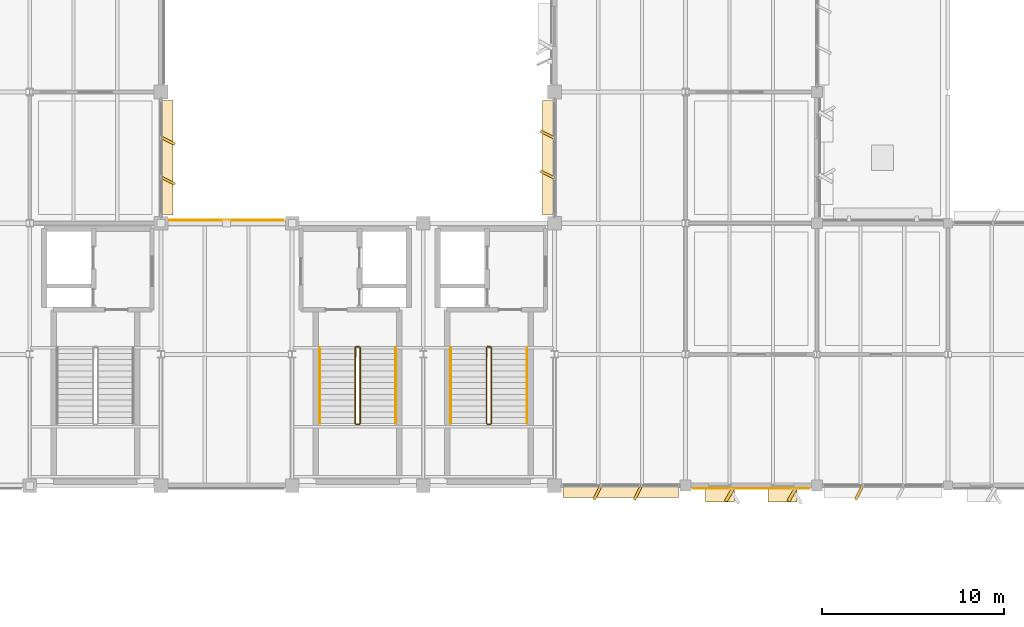
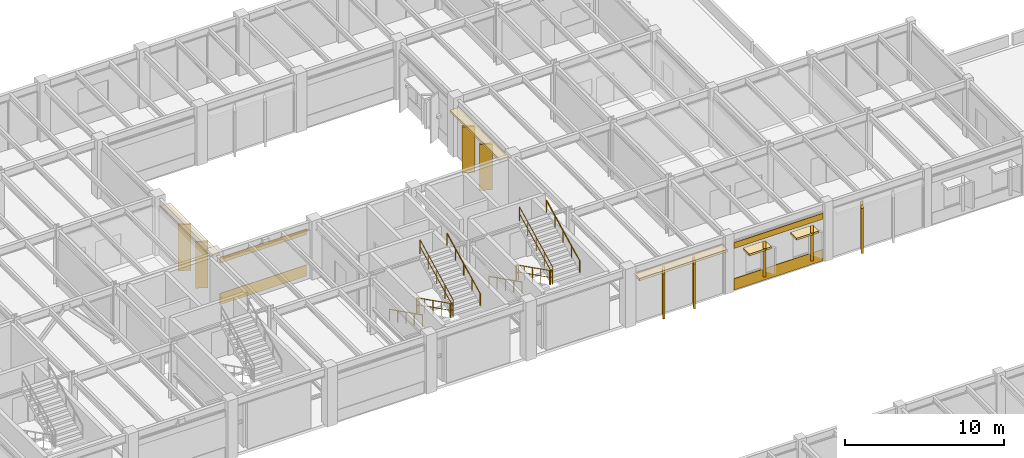
# One storey, part 89 of 92: 18 coverings, 12 railings.
"""IFC4 building model written with IfcOpenShell, lengths in metres."""

from ifc_helpers import new_model, si_unit, direction, frame, frame_2d, origin, origin_2d, place, context, subcontext, project, spatial, rectangle, circle, extrude, material, layer, layer_set, type_object, element, save


model = new_model("IFC4")

# Units and contexts
model_context = context("Model", 3, precision=1e-05, world=origin(), true_north=direction((0.0, 1.0)))
body_context = subcontext(model_context, "Body", "Model", "MODEL_VIEW")
ifc_project = project(units=[si_unit("LENGTHUNIT", "METRE"), si_unit("AREAUNIT", "SQUARE_METRE"), si_unit("VOLUMEUNIT", "CUBIC_METRE"), si_unit("PLANEANGLEUNIT", "RADIAN"), si_unit("MASSUNIT", "GRAM", prefix="KILO")], contexts=[model_context])

# Site, building, storey
site_placement = place(None, origin())
site = spatial("IfcSite", under=ifc_project, at=site_placement, CompositionType="ELEMENT")
building_placement = place(site_placement, origin())
building = spatial("IfcBuilding", under=site, at=building_placement, Name="Sillqori Civic Hall", CompositionType="ELEMENT")
storey_placement = place(building_placement, frame((0.0, 0.0, 5.39990234375)))
storey = spatial("IfcBuildingStorey", under=building, at=storey_placement, Name="L02", CompositionType="ELEMENT", Elevation=5.39990234375)

# Coverings
ifc_material_1 = material(Name="Cochabamba Honed Limestone Cladding", Category="masonry")
ifc_layer_1 = layer(ifc_material_1, 0.044921875)
ifc_layer_set_1 = layer_set([ifc_layer_1], Name="Cochabamba Honed Limestone Cladding")
covering_type = type_object("IfcCoveringType", Name="COV-CLAD-LIME", PredefinedType="CLADDING", material=ifc_layer_set_1)
covering_1_placement = place(storey_placement, frame((72.320068359375, 100.344970703125, 3.587158203125), z_axis=(0.0, 0.0, 1.0), x_axis=(0.0, -1.0, 0.0)))
element("IfcCovering", 1, at=covering_1_placement, inside=storey, type_object=covering_type, Name="L02 curtain-wall limestone solar hood L02-09-13-E", PredefinedType="CLADDING", context=body_context, shape_type="SweptSolid", body=[
    extrude(rectangle(XDim=6.2900390625, YDim=0.679931640625, at=frame_2d((3.14501953125, 0.0))), origin(), (0.0, 0.0, 1.0), 0.179931640625),
])
for number, where, z_axis, x_axis, name in (
    (2, (72.050048828125, 98.29638671875, 0.06005859375), (0.0, 0.0, 1.0), (0.894487846579, -0.44709226377, 0.0), "L02 curtain-wall angled stone fin L02-09-13-E.1"),
    (3, (72.050048828125, 96.103515625, 0.06005859375), (0.0, 0.0, 1.0), (0.894366527193, -0.447334902547, 0.0), "L02 curtain-wall angled stone fin L02-09-13-E.2"),
):
    element("IfcCovering", number, at=place(storey_placement, frame(where, z_axis=z_axis, x_axis=x_axis)), inside=storey, type_object=covering_type, Name=name, PredefinedType="CLADDING", context=body_context, shape_type="SweptSolid", body=[
        extrude(rectangle(XDim=0.804931640625, YDim=0.139892578125, at=frame_2d((0.40234375, 0.0))), origin(), (0.0, 0.0, 1.0), 3.527099609375),
    ])
covering_2_placement = place(storey_placement, frame((72.455078125, 93.760009765625, 0.0400390625), z_axis=(0.0, 0.0, 1.0), x_axis=(1.0, 0.0, 0.0)))
element("IfcCovering", 4, at=covering_2_placement, inside=storey, type_object=covering_type, Name="L02 limestone spandrel cladding L02-10-12-N", PredefinedType="CLADDING", context=body_context, shape_type="SweptSolid", body=[
    extrude(rectangle(XDim=6.2900390625, YDim=0.044921875, at=frame_2d((3.14501953125, 0.0))), origin(), (0.0, 0.0, 1.0), 0.860107421875),
])
covering_3_placement = place(storey_placement, frame((72.455078125, 93.760009765625, 3.22021484375), z_axis=(0.0, 0.0, 1.0), x_axis=(1.0, 0.0, 0.0)))
element("IfcCovering", 5, at=covering_3_placement, inside=storey, type_object=covering_type, Name="L02 limestone frieze cladding L02-10-12-N", PredefinedType="CLADDING", context=body_context, shape_type="SweptSolid", body=[
    extrude(rectangle(XDim=6.2900390625, YDim=0.044921875, at=frame_2d((3.14501953125, 0.0))), origin(), (0.0, 0.0, 1.0), 0.43798828125),
])
covering_4_placement = place(storey_placement, frame((100.419921875, 78.8798828125, 3.51806640625), z_axis=(0.0, 0.0, 1.0), x_axis=(-1.0, 0.0, 0.0)))
element("IfcCovering", 6, at=covering_4_placement, inside=storey, type_object=covering_type, Name="L02 curtain-wall limestone solar hood L02-13-11-S", PredefinedType="CLADDING", context=body_context, shape_type="SweptSolid", body=[
    extrude(rectangle(XDim=6.364990234375, YDim=0.679931640625, at=frame_2d((3.1826171875, 0.0))), origin(), (0.0, 0.0, 1.0), 0.179931640625),
])
for number, where, z_axis, x_axis, name in (
    (7, (98.3466796875, 79.14990234375, 0.06005859375), (0.0, 0.0, 1.0), (-0.44709226377, -0.894487846579, 0.0), "L02 curtain-wall angled stone fin L02-13-11-S.1"),
    (8, (96.128173828125, 79.14990234375, 0.06005859375), (0.0, 0.0, 1.0), (-0.44709226377, -0.894487846579, 0.0), "L02 curtain-wall angled stone fin L02-13-11-S.2"),
):
    element("IfcCovering", number, at=place(storey_placement, frame(where, z_axis=z_axis, x_axis=x_axis)), inside=storey, type_object=covering_type, Name=name, PredefinedType="CLADDING", context=body_context, shape_type="SweptSolid", body=[
        extrude(rectangle(XDim=0.804931640625, YDim=0.139892578125, at=frame_2d((0.40234375, 0.0))), origin(), (0.0, 0.0, 1.0), 3.4580078125),
    ])
covering_5_placement = place(storey_placement, frame((93.280029296875, 94.054931640625, 3.587158203125), z_axis=(0.0, 0.0, 1.0), x_axis=(0.0, 1.0, 0.0)))
element("IfcCovering", 9, at=covering_5_placement, inside=storey, type_object=covering_type, Name="L02 curtain-wall limestone solar hood L02-13-13-W", PredefinedType="CLADDING", context=body_context, shape_type="SweptSolid", body=[
    extrude(rectangle(XDim=6.2900390625, YDim=0.679931640625, at=frame_2d((3.14501953125, 0.0))), origin(), (0.0, 0.0, 1.0), 0.179931640625),
])
for number, where, z_axis, x_axis, name in (
    (10, (93.550048828125, 96.103515625, 0.06005859375), (0.0, 0.0, 1.0), (-0.894487846579, 0.44709226377, 0.0), "L02 curtain-wall angled stone fin L02-13-13-W.1"),
    (11, (93.550048828125, 98.29638671875, 0.06005859375), (0.0, 0.0, 1.0), (-0.894366527193, 0.447334902547, 0.0), "L02 curtain-wall angled stone fin L02-13-13-W.2"),
):
    element("IfcCovering", number, at=place(storey_placement, frame(where, z_axis=z_axis, x_axis=x_axis)), inside=storey, type_object=covering_type, Name=name, PredefinedType="CLADDING", context=body_context, shape_type="SweptSolid", body=[
        extrude(rectangle(XDim=0.804931640625, YDim=0.139892578125, at=frame_2d((0.40234375, 0.0))), origin(), (0.0, 0.0, 1.0), 3.527099609375),
    ])
covering_6_placement = place(storey_placement, frame((107.6201171875, 79.0400390625, 0.0400390625), z_axis=(0.0, 0.0, 1.0), x_axis=(-1.0, 0.0, 0.0)))
element("IfcCovering", 12, at=covering_6_placement, inside=storey, type_object=covering_type, Name="L02 limestone spandrel cladding L02-14-11-S", PredefinedType="CLADDING", context=body_context, shape_type="SweptSolid", body=[
    extrude(rectangle(XDim=6.440185546875, YDim=0.044921875, at=frame_2d((3.22021484375, 0.0))), origin(), (0.0, 0.0, 1.0), 0.860107421875),
])
covering_7_placement = place(storey_placement, frame((107.6201171875, 79.0400390625, 3.22021484375), z_axis=(0.0, 0.0, 1.0), x_axis=(-1.0, 0.0, 0.0)))
element("IfcCovering", 13, at=covering_7_placement, inside=storey, type_object=covering_type, Name="L02 limestone frieze cladding L02-14-11-S", PredefinedType="CLADDING", context=body_context, shape_type="SweptSolid", body=[
    extrude(rectangle(XDim=6.440185546875, YDim=0.044921875, at=frame_2d((3.22021484375, 0.0))), origin(), (0.0, 0.0, 1.0), 0.43798828125),
])
covering_8_placement = place(storey_placement, frame((106.861083984375, 79.080078125, 0.830078125), z_axis=(0.0, 0.0, 1.0), x_axis=(-0.500062241894, -0.865989465428, 0.0)))
element("IfcCovering", 14, at=covering_8_placement, inside=storey, type_object=covering_type, Name="Sawtooth limestone angled reveal cheek L02-14-11-S.1", PredefinedType="CLADDING", context=body_context, shape_type="SweptSolid", body=[
    extrude(rectangle(XDim=0.85009765625, YDim=0.179931640625, at=frame_2d((0.425048828125, 0.0))), origin(), (0.0, 0.0, 1.0), 2.14990234375),
])
covering_9_placement = place(storey_placement, frame((106.9208984375, 78.699951171875, 2.840087890625), z_axis=(0.0, 0.0, 1.0), x_axis=(-1.0, 0.0, 0.0)))
element("IfcCovering", 15, at=covering_9_placement, inside=storey, type_object=covering_type, Name="Sawtooth limestone window hood L02-14-11-S.1", PredefinedType="CLADDING", context=body_context, shape_type="SweptSolid", body=[
    extrude(rectangle(XDim=1.60986328125, YDim=0.780029296875, at=frame_2d((0.804931640625, 0.0))), origin(), (0.0, 0.0, 1.0), 0.139892578125),
])
covering_10_placement = place(storey_placement, frame((103.428955078125, 79.080078125, 0.830078125), z_axis=(0.0, 0.0, 1.0), x_axis=(-0.500062241894, -0.865989465428, 0.0)))
element("IfcCovering", 16, at=covering_10_placement, inside=storey, type_object=covering_type, Name="Sawtooth limestone angled reveal cheek L02-14-11-S.2", PredefinedType="CLADDING", context=body_context, shape_type="SweptSolid", body=[
    extrude(rectangle(XDim=0.85009765625, YDim=0.179931640625, at=frame_2d((0.425048828125, 0.0))), origin(), (0.0, 0.0, 1.0), 2.14990234375),
])
covering_11_placement = place(storey_placement, frame((103.489013671875, 78.699951171875, 2.840087890625), z_axis=(0.0, 0.0, 1.0), x_axis=(-1.0, 0.0, 0.0)))
element("IfcCovering", 17, at=covering_11_placement, inside=storey, type_object=covering_type, Name="Sawtooth limestone window hood L02-14-11-S.2", PredefinedType="CLADDING", context=body_context, shape_type="SweptSolid", body=[
    extrude(rectangle(XDim=1.610107421875, YDim=0.780029296875, at=frame_2d((0.80517578125, 0.0))), origin(), (0.0, 0.0, 1.0), 0.139892578125),
])
covering_12_placement = place(storey_placement, frame((110.494384765625, 79.14990234375, 0.06005859375), z_axis=(0.0, 0.0, 1.0), x_axis=(-0.44709226377, -0.894487846579, 0.0)))
element("IfcCovering", 18, at=covering_12_placement, inside=storey, type_object=covering_type, Name="L02 curtain-wall angled stone fin L02-15-11-S.2", PredefinedType="CLADDING", context=body_context, shape_type="SweptSolid", body=[
    extrude(rectangle(XDim=0.804931640625, YDim=0.139892578125, at=frame_2d((0.40234375, 0.0))), origin(), (0.0, 0.0, 1.0), 3.4580078125),
])

# Railings
ifc_material_2 = material(Name="Brushed Stainless Steel 316 Handrail", Category="steel")
ifc_layer_2 = layer(ifc_material_2, 0.044921875)
ifc_layer_set_2 = layer_set([ifc_layer_2], Name="Brushed Stainless Steel 316 Handrail")
railing_type_1 = type_object("IfcRailingType", Name="RLG-CORE-092", PredefinedType="HANDRAIL", material=ifc_layer_set_2)
railing_1_placement = place(storey_placement, frame((80.7099609375, 86.77001953125, 0.160888671875)))
element("IfcRailing", 19, at=railing_1_placement, inside=storey, type_object=railing_type_1, Name="L02 ST-07 stair handrail 1", PredefinedType="HANDRAIL", context=body_context, shape_type="SweptSolid", body=[
    extrude(circle(Radius=0.02392578125, at=origin_2d()), frame((0.0, 0.0, 0.8759765625), z_axis=(0.0, -0.893639106791, 0.448786304173), x_axis=(1.0, 0.0, 0.0)), (0.0, 0.0, 1.0), 4.655029296875),
    extrude(circle(Radius=0.02099609375, at=origin_2d()), origin(), (0.0, 0.0, 1.0), 0.851806640625),
    extrude(circle(Radius=0.02099609375, at=origin_2d()), frame((0.0, -1.0400390625, 0.522216796875)), (0.0, 0.0, 1.0), 0.851806640625),
    extrude(circle(Radius=0.02099609375, at=origin_2d()), frame((0.0, -2.080078125, 1.04443359375)), (0.0, 0.0, 1.0), 0.851806640625),
    extrude(circle(Radius=0.02099609375, at=origin_2d()), frame((0.0, -3.119873046875, 1.56689453125)), (0.0, 0.0, 1.0), 0.851806640625),
    extrude(circle(Radius=0.02099609375, at=origin_2d()), frame((0.0, -4.159912109375, 2.089111328125)), (0.0, 0.0, 1.0), 0.851806640625),
])
railing_2_placement = place(storey_placement, frame((84.889892578125, 82.610107421875, 2.410888671875)))
element("IfcRailing", 20, at=railing_2_placement, inside=storey, type_object=railing_type_1, Name="L02 ST-07 stair handrail 2", PredefinedType="HANDRAIL", context=body_context, shape_type="SweptSolid", body=[
    extrude(circle(Radius=0.02392578125, at=origin_2d()), frame((0.0, 0.0, 0.8759765625), z_axis=(0.0, 0.893639106791, 0.448786304173), x_axis=(-1.0, 0.0, 0.0)), (0.0, 0.0, 1.0), 4.655029296875),
    extrude(circle(Radius=0.02099609375, at=origin_2d()), origin(), (0.0, 0.0, 1.0), 0.851806640625),
    extrude(circle(Radius=0.02099609375, at=origin_2d()), frame((0.0, 1.0400390625, 0.522216796875)), (0.0, 0.0, 1.0), 0.851806640625),
    extrude(circle(Radius=0.02099609375, at=origin_2d()), frame((0.0, 2.080078125, 1.04443359375)), (0.0, 0.0, 1.0), 0.851806640625),
    extrude(circle(Radius=0.02099609375, at=origin_2d()), frame((0.0, 3.119873046875, 1.56689453125)), (0.0, 0.0, 1.0), 0.851806640625),
    extrude(circle(Radius=0.02099609375, at=origin_2d()), frame((0.0, 4.159912109375, 2.089111328125)), (0.0, 0.0, 1.0), 0.851806640625),
])
railing_3_placement = place(storey_placement, frame((87.909912109375, 86.77001953125, 0.160888671875)))
element("IfcRailing", 21, at=railing_3_placement, inside=storey, type_object=railing_type_1, Name="L02 ST-08 stair handrail 1", PredefinedType="HANDRAIL", context=body_context, shape_type="SweptSolid", body=[
    extrude(circle(Radius=0.02392578125, at=origin_2d()), frame((0.0, 0.0, 0.8759765625), z_axis=(0.0, -0.893639106791, 0.448786304173), x_axis=(1.0, 0.0, 0.0)), (0.0, 0.0, 1.0), 4.655029296875),
    extrude(circle(Radius=0.02099609375, at=origin_2d()), origin(), (0.0, 0.0, 1.0), 0.851806640625),
    extrude(circle(Radius=0.02099609375, at=origin_2d()), frame((0.0, -1.0400390625, 0.522216796875)), (0.0, 0.0, 1.0), 0.851806640625),
    extrude(circle(Radius=0.02099609375, at=origin_2d()), frame((0.0, -2.080078125, 1.04443359375)), (0.0, 0.0, 1.0), 0.851806640625),
    extrude(circle(Radius=0.02099609375, at=origin_2d()), frame((0.0, -3.119873046875, 1.56689453125)), (0.0, 0.0, 1.0), 0.851806640625),
    extrude(circle(Radius=0.02099609375, at=origin_2d()), frame((0.0, -4.159912109375, 2.089111328125)), (0.0, 0.0, 1.0), 0.851806640625),
])
railing_4_placement = place(storey_placement, frame((92.090087890625, 82.610107421875, 2.410888671875)))
element("IfcRailing", 22, at=railing_4_placement, inside=storey, type_object=railing_type_1, Name="L02 ST-08 stair handrail 2", PredefinedType="HANDRAIL", context=body_context, shape_type="SweptSolid", body=[
    extrude(circle(Radius=0.02392578125, at=origin_2d()), frame((0.0, 0.0, 0.8759765625), z_axis=(0.0, 0.893639106791, 0.448786304173), x_axis=(-1.0, 0.0, 0.0)), (0.0, 0.0, 1.0), 4.655029296875),
    extrude(circle(Radius=0.02099609375, at=origin_2d()), origin(), (0.0, 0.0, 1.0), 0.851806640625),
    extrude(circle(Radius=0.02099609375, at=origin_2d()), frame((0.0, 1.0400390625, 0.522216796875)), (0.0, 0.0, 1.0), 0.851806640625),
    extrude(circle(Radius=0.02099609375, at=origin_2d()), frame((0.0, 2.080078125, 1.04443359375)), (0.0, 0.0, 1.0), 0.851806640625),
    extrude(circle(Radius=0.02099609375, at=origin_2d()), frame((0.0, 3.119873046875, 1.56689453125)), (0.0, 0.0, 1.0), 0.851806640625),
    extrude(circle(Radius=0.02099609375, at=origin_2d()), frame((0.0, 4.159912109375, 2.089111328125)), (0.0, 0.0, 1.0), 0.851806640625),
])
ifc_material_3 = material(Name="Galvanized Painted Steel Guardrail", Category="steel")
ifc_layer_3 = layer(ifc_material_3, 0.050048828125)
ifc_layer_set_3 = layer_set([ifc_layer_3], Name="Galvanized Painted Steel Guardrail")
railing_type_2 = type_object("IfcRailingType", Name="RLG-CORE-110", PredefinedType="GUARDRAIL", material=ifc_layer_set_3)
railing_5_placement = place(storey_placement, frame((82.669921875, 86.77001953125, 0.160888671875)))
element("IfcRailing", 23, at=railing_5_placement, inside=storey, type_object=railing_type_2, Name="L02 ST-07 stair guard 1", PredefinedType="GUARDRAIL", context=body_context, shape_type="SweptSolid", body=[
    extrude(circle(Radius=0.02392578125, at=origin_2d()), frame((0.0, 0.0, 1.076171875), z_axis=(0.0, -0.893639106791, 0.448786304173), x_axis=(1.0, 0.0, 0.0)), (0.0, 0.0, 1.0), 4.655029296875),
    extrude(circle(Radius=0.02392578125, at=origin_2d()), frame((0.0, 0.0, 0.550048828125), z_axis=(0.0, -0.893639106791, 0.448786304173), x_axis=(1.0, 0.0, 0.0)), (0.0, 0.0, 1.0), 4.655029296875),
    extrude(circle(Radius=0.02099609375, at=origin_2d()), origin(), (0.0, 0.0, 1.0), 1.052001953125),
    extrude(circle(Radius=0.02099609375, at=origin_2d()), frame((0.0, -1.0400390625, 0.522216796875)), (0.0, 0.0, 1.0), 1.052001953125),
    extrude(circle(Radius=0.02099609375, at=origin_2d()), frame((0.0, -2.080078125, 1.04443359375)), (0.0, 0.0, 1.0), 1.052001953125),
    extrude(circle(Radius=0.02099609375, at=origin_2d()), frame((0.0, -3.119873046875, 1.56689453125)), (0.0, 0.0, 1.0), 1.052001953125),
    extrude(circle(Radius=0.02099609375, at=origin_2d()), frame((0.0, -4.159912109375, 2.089111328125)), (0.0, 0.0, 1.0), 1.052001953125),
])
railing_6_placement = place(storey_placement, frame((82.719970703125, 82.56005859375, 2.25)))
element("IfcRailing", 24, at=railing_6_placement, inside=storey, type_object=railing_type_2, Name="L02 ST-07 stair guard 2", PredefinedType="GUARDRAIL", context=body_context, shape_type="SweptSolid", body=[
    extrude(circle(Radius=0.02392578125, at=origin_2d()), frame((0.0, 0.0, 1.076171875), z_axis=(1.0, 0.0, 0.0), x_axis=(0.0, 1.0, 0.0)), (0.0, 0.0, 1.0), 0.159912109375),
    extrude(circle(Radius=0.02392578125, at=origin_2d()), frame((0.0, 0.0, 0.550048828125), z_axis=(1.0, 0.0, 0.0), x_axis=(0.0, 1.0, 0.0)), (0.0, 0.0, 1.0), 0.159912109375),
    extrude(circle(Radius=0.02099609375, at=origin_2d()), origin(), (0.0, 0.0, 1.0), 1.052001953125),
    extrude(circle(Radius=0.02099609375, at=origin_2d()), frame((0.159912109375, 0.0, 0.0)), (0.0, 0.0, 1.0), 1.052001953125),
])
railing_7_placement = place(storey_placement, frame((82.929931640625, 82.610107421875, 2.410888671875)))
element("IfcRailing", 25, at=railing_7_placement, inside=storey, type_object=railing_type_2, Name="L02 ST-07 stair guard 3", PredefinedType="GUARDRAIL", context=body_context, shape_type="SweptSolid", body=[
    extrude(circle(Radius=0.02392578125, at=origin_2d()), frame((0.0, 0.0, 1.076171875), z_axis=(0.0, 0.893639106791, 0.448786304173), x_axis=(-1.0, 0.0, 0.0)), (0.0, 0.0, 1.0), 4.655029296875),
    extrude(circle(Radius=0.02392578125, at=origin_2d()), frame((0.0, 0.0, 0.550048828125), z_axis=(0.0, 0.893639106791, 0.448786304173), x_axis=(-1.0, 0.0, 0.0)), (0.0, 0.0, 1.0), 4.655029296875),
    extrude(circle(Radius=0.02099609375, at=origin_2d()), origin(), (0.0, 0.0, 1.0), 1.052001953125),
    extrude(circle(Radius=0.02099609375, at=origin_2d()), frame((0.0, 1.0400390625, 0.522216796875)), (0.0, 0.0, 1.0), 1.052001953125),
    extrude(circle(Radius=0.02099609375, at=origin_2d()), frame((0.0, 2.080078125, 1.04443359375)), (0.0, 0.0, 1.0), 1.052001953125),
    extrude(circle(Radius=0.02099609375, at=origin_2d()), frame((0.0, 3.119873046875, 1.56689453125)), (0.0, 0.0, 1.0), 1.052001953125),
    extrude(circle(Radius=0.02099609375, at=origin_2d()), frame((0.0, 4.159912109375, 2.089111328125)), (0.0, 0.0, 1.0), 1.052001953125),
])
railing_8_placement = place(storey_placement, frame((82.719970703125, 86.820068359375, 0.0)))
element("IfcRailing", 26, at=railing_8_placement, inside=storey, type_object=railing_type_2, Name="L02 ST-07 stair guard 4", PredefinedType="GUARDRAIL", context=body_context, shape_type="SweptSolid", body=[
    extrude(circle(Radius=0.02392578125, at=origin_2d()), frame((0.0, 0.0, 1.076171875), z_axis=(1.0, 0.0, 0.0), x_axis=(0.0, 1.0, 0.0)), (0.0, 0.0, 1.0), 0.159912109375),
    extrude(circle(Radius=0.02392578125, at=origin_2d()), frame((0.0, 0.0, 0.550048828125), z_axis=(1.0, 0.0, 0.0), x_axis=(0.0, 1.0, 0.0)), (0.0, 0.0, 1.0), 0.159912109375),
    extrude(circle(Radius=0.02099609375, at=origin_2d()), origin(), (0.0, 0.0, 1.0), 1.052001953125),
    extrude(circle(Radius=0.02099609375, at=origin_2d()), frame((0.159912109375, 0.0, 0.0)), (0.0, 0.0, 1.0), 1.052001953125),
])
railing_9_placement = place(storey_placement, frame((89.8701171875, 86.77001953125, 0.160888671875)))
element("IfcRailing", 27, at=railing_9_placement, inside=storey, type_object=railing_type_2, Name="L02 ST-08 stair guard 1", PredefinedType="GUARDRAIL", context=body_context, shape_type="SweptSolid", body=[
    extrude(circle(Radius=0.02392578125, at=origin_2d()), frame((0.0, 0.0, 1.076171875), z_axis=(0.0, -0.893639106791, 0.448786304173), x_axis=(1.0, 0.0, 0.0)), (0.0, 0.0, 1.0), 4.655029296875),
    extrude(circle(Radius=0.02392578125, at=origin_2d()), frame((0.0, 0.0, 0.550048828125), z_axis=(0.0, -0.893639106791, 0.448786304173), x_axis=(1.0, 0.0, 0.0)), (0.0, 0.0, 1.0), 4.655029296875),
    extrude(circle(Radius=0.02099609375, at=origin_2d()), origin(), (0.0, 0.0, 1.0), 1.052001953125),
    extrude(circle(Radius=0.02099609375, at=origin_2d()), frame((0.0, -1.0400390625, 0.522216796875)), (0.0, 0.0, 1.0), 1.052001953125),
    extrude(circle(Radius=0.02099609375, at=origin_2d()), frame((0.0, -2.080078125, 1.04443359375)), (0.0, 0.0, 1.0), 1.052001953125),
    extrude(circle(Radius=0.02099609375, at=origin_2d()), frame((0.0, -3.119873046875, 1.56689453125)), (0.0, 0.0, 1.0), 1.052001953125),
    extrude(circle(Radius=0.02099609375, at=origin_2d()), frame((0.0, -4.159912109375, 2.089111328125)), (0.0, 0.0, 1.0), 1.052001953125),
])
railing_10_placement = place(storey_placement, frame((89.919921875, 82.56005859375, 2.25)))
element("IfcRailing", 28, at=railing_10_placement, inside=storey, type_object=railing_type_2, Name="L02 ST-08 stair guard 2", PredefinedType="GUARDRAIL", context=body_context, shape_type="SweptSolid", body=[
    extrude(circle(Radius=0.02392578125, at=origin_2d()), frame((0.0, 0.0, 1.076171875), z_axis=(1.0, 0.0, 0.0), x_axis=(0.0, 1.0, 0.0)), (0.0, 0.0, 1.0), 0.16015625),
    extrude(circle(Radius=0.02392578125, at=origin_2d()), frame((0.0, 0.0, 0.550048828125), z_axis=(1.0, 0.0, 0.0), x_axis=(0.0, 1.0, 0.0)), (0.0, 0.0, 1.0), 0.16015625),
    extrude(circle(Radius=0.02099609375, at=origin_2d()), origin(), (0.0, 0.0, 1.0), 1.052001953125),
    extrude(circle(Radius=0.02099609375, at=origin_2d()), frame((0.16015625, 0.0, 0.0)), (0.0, 0.0, 1.0), 1.052001953125),
])
railing_11_placement = place(storey_placement, frame((90.1298828125, 82.610107421875, 2.410888671875)))
element("IfcRailing", 29, at=railing_11_placement, inside=storey, type_object=railing_type_2, Name="L02 ST-08 stair guard 3", PredefinedType="GUARDRAIL", context=body_context, shape_type="SweptSolid", body=[
    extrude(circle(Radius=0.02392578125, at=origin_2d()), frame((0.0, 0.0, 1.076171875), z_axis=(0.0, 0.893639106791, 0.448786304173), x_axis=(-1.0, 0.0, 0.0)), (0.0, 0.0, 1.0), 4.655029296875),
    extrude(circle(Radius=0.02392578125, at=origin_2d()), frame((0.0, 0.0, 0.550048828125), z_axis=(0.0, 0.893639106791, 0.448786304173), x_axis=(-1.0, 0.0, 0.0)), (0.0, 0.0, 1.0), 4.655029296875),
    extrude(circle(Radius=0.02099609375, at=origin_2d()), origin(), (0.0, 0.0, 1.0), 1.052001953125),
    extrude(circle(Radius=0.02099609375, at=origin_2d()), frame((0.0, 1.0400390625, 0.522216796875)), (0.0, 0.0, 1.0), 1.052001953125),
    extrude(circle(Radius=0.02099609375, at=origin_2d()), frame((0.0, 2.080078125, 1.04443359375)), (0.0, 0.0, 1.0), 1.052001953125),
    extrude(circle(Radius=0.02099609375, at=origin_2d()), frame((0.0, 3.119873046875, 1.56689453125)), (0.0, 0.0, 1.0), 1.052001953125),
    extrude(circle(Radius=0.02099609375, at=origin_2d()), frame((0.0, 4.159912109375, 2.089111328125)), (0.0, 0.0, 1.0), 1.052001953125),
])
railing_12_placement = place(storey_placement, frame((89.919921875, 86.820068359375, 0.0)))
element("IfcRailing", 30, at=railing_12_placement, inside=storey, type_object=railing_type_2, Name="L02 ST-08 stair guard 4", PredefinedType="GUARDRAIL", context=body_context, shape_type="SweptSolid", body=[
    extrude(circle(Radius=0.02392578125, at=origin_2d()), frame((0.0, 0.0, 1.076171875), z_axis=(1.0, 0.0, 0.0), x_axis=(0.0, 1.0, 0.0)), (0.0, 0.0, 1.0), 0.16015625),
    extrude(circle(Radius=0.02392578125, at=origin_2d()), frame((0.0, 0.0, 0.550048828125), z_axis=(1.0, 0.0, 0.0), x_axis=(0.0, 1.0, 0.0)), (0.0, 0.0, 1.0), 0.16015625),
    extrude(circle(Radius=0.02099609375, at=origin_2d()), origin(), (0.0, 0.0, 1.0), 1.052001953125),
    extrude(circle(Radius=0.02099609375, at=origin_2d()), frame((0.16015625, 0.0, 0.0)), (0.0, 0.0, 1.0), 1.052001953125),
])

save(model, "model.ifc")
